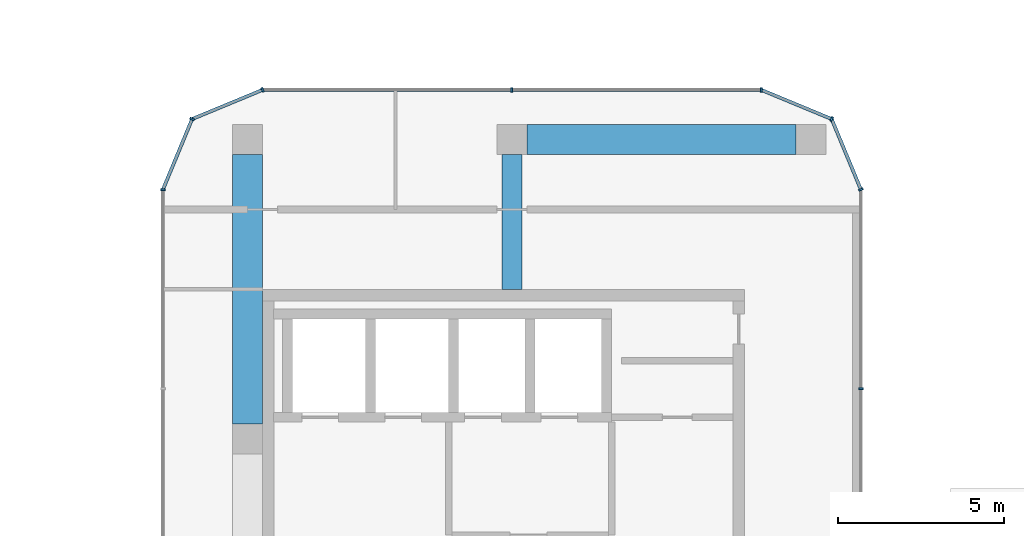
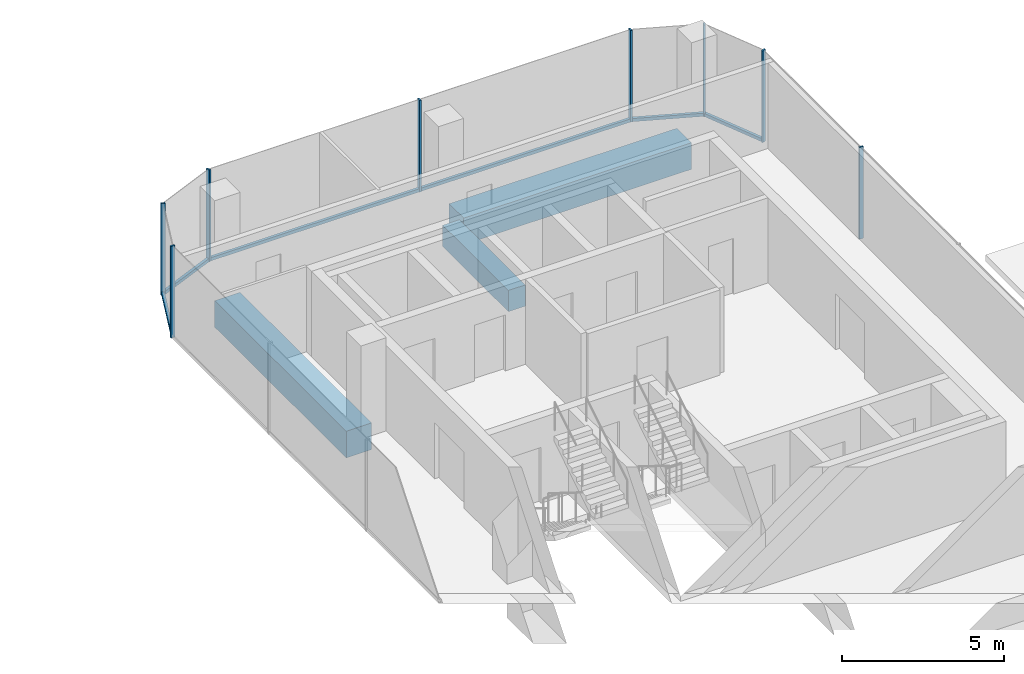
# One storey, part 8 of 19: 13 members, 3 beams, 7 elements without a shape of their own.
"""IFC4 building model written with IfcOpenShell, lengths in metres."""

from ifc_helpers import new_model, si_unit, direction, frame, origin, origin_2d, place, context, subcontext, project, spatial, rectangle, extrude, material, layer, layer_set, material_profile, profile_set, type_object, element, aggregate, save


model = new_model("IFC4")

# Units and contexts
model_context = context("Model", 3, precision=1e-05, world=origin(), true_north=direction((0.0, 1.0)))
body_context = subcontext(model_context, "Body", "Model", "MODEL_VIEW")
ifc_project = project(units=[si_unit("LENGTHUNIT", "METRE"), si_unit("AREAUNIT", "SQUARE_METRE"), si_unit("VOLUMEUNIT", "CUBIC_METRE"), si_unit("PLANEANGLEUNIT", "RADIAN"), si_unit("MASSUNIT", "GRAM", prefix="KILO")], contexts=[model_context])

# Site, building, storey
site_placement = place(None, origin())
site = spatial("IfcSite", under=ifc_project, at=site_placement, CompositionType="ELEMENT")
building_placement = place(site_placement, origin())
building = spatial("IfcBuilding", under=site, at=building_placement, Name="Plateau Cross Towers", CompositionType="ELEMENT")
storey_placement = place(building_placement, frame((0.0, 0.0, 120.300048828125)))
storey = spatial("IfcBuildingStorey", under=building, at=storey_placement, Name="L31", CompositionType="ELEMENT", Elevation=120.300048828125)

# Beams
ifc_material_1 = material(Name="Concrete C60/75", Category="concrete")
ifc_material_profile_1 = material_profile(ifc_material_1, rectangle(XDim=0.89990234375, YDim=1.0, at=origin_2d()), Name="RC 900x1000")
ifc_profile_set_1 = profile_set([ifc_material_profile_1], Name="Concrete C60/75")
beam_type_1 = type_object("IfcBeamType", Name="Belt beam RC 900x1000", PredefinedType="BEAM", material=ifc_profile_set_1)
for number, where, z_axis, x_axis, name in (
    (1, (91.050048828125, 22.5, -0.75), (-1.0, 0.0, 0.0), (0.0, -1.0, 0.0), "B-RB02@L31"),
    (2, (74.550048828125, 22.050048828125, -0.75), (0.0, -1.0, 0.0), (1.0, 0.0, 0.0), "B-RB03@L31"),
):
    element("IfcBeam", number, at=place(storey_placement, frame(where, z_axis=z_axis, x_axis=x_axis)), inside=storey, type_object=beam_type_1, Name=name, PredefinedType="BEAM", context=body_context, shape_type="SweptSolid", body=[
        extrude(rectangle(XDim=0.89990234375, YDim=1.0, at=origin_2d()), origin(), (0.0, 0.0, 1.0), 8.10009765625),
    ])
ifc_material_profile_2 = material_profile(ifc_material_1, rectangle(XDim=0.60009765625, YDim=0.800048828125, at=origin_2d()), Name="RC 600x800")
ifc_profile_set_2 = profile_set([ifc_material_profile_2], Name="Concrete C60/75")
beam_type_2 = type_object("IfcBeamType", Name="Core beam RC 600x800", PredefinedType="BEAM", material=ifc_profile_set_2)
beam_placement = place(storey_placement, frame((82.5, 18.0, -0.650146484375), z_axis=(0.0, 1.0, 0.0), x_axis=(-1.0, 0.0, 0.0)))
element("IfcBeam", 3, at=beam_placement, inside=storey, type_object=beam_type_2, Name="B-CB02@L31", PredefinedType="BEAM", context=body_context, shape_type="SweptSolid", body=[
    extrude(rectangle(XDim=0.60009765625, YDim=0.800048828125, at=origin_2d()), origin(), (0.0, 0.0, 1.0), 4.050048828125),
])

# Curtain wall, member
ifc_material_2 = material(Name="Dark low-iron glass", Category="glass")
ifc_layer = layer(ifc_material_2, 0.239990234375)
ifc_layer_set = layer_set([ifc_layer], Name="Dark low-iron glass")
curtain_wall_type = type_object("IfcCurtainWallType", Name="Curtain wall office unitised CW-F", PredefinedType="NOTDEFINED", material=ifc_layer_set)
curtain_wall_1_placement = place(storey_placement, origin())
curtain_wall_1 = element("IfcCurtainWall", 4, at=curtain_wall_1_placement, inside=storey, type_object=curtain_wall_type, Name="ENV/B/L31/B930_-30", PredefinedType="NOTDEFINED")
ifc_material_3 = material(Name="Black anodised aluminium", Category="aluminium")
ifc_material_profile_3 = material_profile(ifc_material_3, rectangle(XDim=0.06005859375, YDim=0.139892578125, at=origin_2d()), Name="MULLION 60x140")
ifc_profile_set_3 = profile_set([ifc_material_profile_3], Name="Black anodised aluminium")
member_type_1 = type_object("IfcMemberType", Name="Mullion 60x140 office unitised", PredefinedType="MULLION", material=ifc_profile_set_3)
member_1_placement = place(storey_placement, frame((93.0, 15.0, -0.25), z_axis=(0.0, 0.0, 1.0), x_axis=(0.0, 1.0, 0.0)))
member_1 = element("IfcMember", 5, at=member_1_placement, type_object=member_type_1, Name="CW-F mullion 4", PredefinedType="MULLION", context=body_context, shape_type="SweptSolid", body=[
    extrude(rectangle(XDim=0.06005859375, YDim=0.139892578125, at=origin_2d()), origin(), (0.0, 0.0, 1.0), 3.449951171875),
])
aggregate(curtain_wall_1, [member_1])

curtain_wall_2_placement = place(storey_placement, origin())
curtain_wall_2 = element("IfcCurtainWall", 6, at=curtain_wall_2_placement, inside=storey, type_object=curtain_wall_type, Name="ENV/B/L31/B930_210", PredefinedType="NOTDEFINED")
member_2_placement = place(storey_placement, frame((93.0, 21.0, -0.25), z_axis=(0.0, 0.0, 1.0), x_axis=(-0.382683612978, 0.923879457699, 0.0)))
member_2 = element("IfcMember", 7, at=member_2_placement, type_object=member_type_1, Name="CW-F mullion 1", PredefinedType="MULLION", context=body_context, shape_type="SweptSolid", body=[
    extrude(rectangle(XDim=0.06005859375, YDim=0.139892578125, at=origin_2d()), origin(), (0.0, 0.0, 1.0), 3.449951171875),
])

curtain_wall_3_placement = place(storey_placement, origin())
curtain_wall_3 = element("IfcCurtainWall", 8, at=curtain_wall_3_placement, inside=storey, type_object=curtain_wall_type, Name="ENV/B/L31/B921_231", PredefinedType="NOTDEFINED")
member_3_placement = place(storey_placement, frame((92.121337890625, 23.121337890625, -0.25), z_axis=(0.0, 0.0, 1.0), x_axis=(-0.923879457699, 0.382683612978, 0.0)))
member_3 = element("IfcMember", 9, at=member_3_placement, type_object=member_type_1, Name="CW-F mullion 1", PredefinedType="MULLION", context=body_context, shape_type="SweptSolid", body=[
    extrude(rectangle(XDim=0.06005859375, YDim=0.139892578125, at=origin_2d()), origin(), (0.0, 0.0, 1.0), 3.449951171875),
])

# Curtain wall, members
curtain_wall_4_placement = place(storey_placement, origin())
curtain_wall_4 = element("IfcCurtainWall", 10, at=curtain_wall_4_placement, inside=storey, type_object=curtain_wall_type, Name="ENV/B/L31/B900_240", PredefinedType="NOTDEFINED")
member_4_placement = place(storey_placement, frame((90.0, 24.0, -0.25), z_axis=(0.0, 0.0, 1.0), x_axis=(-1.0, 0.0, 0.0)))
member_4 = element("IfcMember", 11, at=member_4_placement, type_object=member_type_1, Name="CW-F mullion 1", PredefinedType="MULLION", context=body_context, shape_type="SweptSolid", body=[
    extrude(rectangle(XDim=0.06005859375, YDim=0.139892578125, at=origin_2d()), origin(), (0.0, 0.0, 1.0), 3.449951171875),
])
member_5_placement = place(storey_placement, frame((82.5, 24.0, -0.25), z_axis=(0.0, 0.0, 1.0), x_axis=(-1.0, 0.0, 0.0)))
member_5 = element("IfcMember", 12, at=member_5_placement, type_object=member_type_1, Name="CW-F mullion 2", PredefinedType="MULLION", context=body_context, shape_type="SweptSolid", body=[
    extrude(rectangle(XDim=0.06005859375, YDim=0.139892578125, at=origin_2d()), origin(), (0.0, 0.0, 1.0), 3.449951171875),
])

# Curtain wall, member
curtain_wall_5_placement = place(storey_placement, origin())
curtain_wall_5 = element("IfcCurtainWall", 13, at=curtain_wall_5_placement, inside=storey, type_object=curtain_wall_type, Name="ENV/B/L31/B750_240", PredefinedType="NOTDEFINED")
member_6_placement = place(storey_placement, frame((75.0, 24.0, -0.25), z_axis=(0.0, 0.0, 1.0), x_axis=(-0.923879457699, -0.382683612978, 0.0)))
member_6 = element("IfcMember", 14, at=member_6_placement, type_object=member_type_1, Name="CW-F mullion 1", PredefinedType="MULLION", context=body_context, shape_type="SweptSolid", body=[
    extrude(rectangle(XDim=0.06005859375, YDim=0.139892578125, at=origin_2d()), origin(), (0.0, 0.0, 1.0), 3.449951171875),
])

curtain_wall_6_placement = place(storey_placement, origin())
curtain_wall_6 = element("IfcCurtainWall", 15, at=curtain_wall_6_placement, inside=storey, type_object=curtain_wall_type, Name="ENV/B/L31/B729_231", PredefinedType="NOTDEFINED")
member_7_placement = place(storey_placement, frame((72.878662109375, 23.121337890625, -0.25), z_axis=(0.0, 0.0, 1.0), x_axis=(-0.382683612978, -0.923879457699, 0.0)))
member_7 = element("IfcMember", 16, at=member_7_placement, type_object=member_type_1, Name="CW-F mullion 1", PredefinedType="MULLION", context=body_context, shape_type="SweptSolid", body=[
    extrude(rectangle(XDim=0.06005859375, YDim=0.139892578125, at=origin_2d()), origin(), (0.0, 0.0, 1.0), 3.449951171875),
])

curtain_wall_7_placement = place(storey_placement, origin())
curtain_wall_7 = element("IfcCurtainWall", 17, at=curtain_wall_7_placement, inside=storey, type_object=curtain_wall_type, Name="ENV/B/L31/B720_210", PredefinedType="NOTDEFINED")
member_8_placement = place(storey_placement, frame((72.0, 21.0, -0.25), z_axis=(0.0, 0.0, 1.0), x_axis=(0.0, -1.0, 0.0)))
member_8 = element("IfcMember", 18, at=member_8_placement, type_object=member_type_1, Name="CW-F mullion 1", PredefinedType="MULLION", context=body_context, shape_type="SweptSolid", body=[
    extrude(rectangle(XDim=0.06005859375, YDim=0.139892578125, at=origin_2d()), origin(), (0.0, 0.0, 1.0), 3.449951171875),
])
aggregate(curtain_wall_7, [member_8])

# Member
ifc_material_profile_4 = material_profile(ifc_material_3, rectangle(XDim=0.10009765625, YDim=0.1201171875, at=origin_2d()), Name="TRANSOM 100x120")
ifc_profile_set_4 = profile_set([ifc_material_profile_4], Name="Black anodised aluminium")
member_type_2 = type_object("IfcMemberType", Name="Transom 100x120 office unitised", PredefinedType="USERDEFINED", material=ifc_profile_set_4)
member_9_placement = place(storey_placement, frame((93.0, 21.0, -0.18994140625), z_axis=(-0.382674207535, 0.923883353507, 0.0), x_axis=(-0.923883353507, -0.382674207535, 0.0)))
member_9 = element("IfcMember", 19, at=member_9_placement, type_object=member_type_2, Name="CW-F transom", ObjectType="TRANSOM", PredefinedType="USERDEFINED", context=body_context, shape_type="SweptSolid", body=[
    extrude(rectangle(XDim=0.10009765625, YDim=0.1201171875, at=origin_2d()), origin(), (0.0, 0.0, 1.0), 2.296142578125),
])

aggregate(curtain_wall_2, [member_2, member_9])

member_10_placement = place(storey_placement, frame((92.121337890625, 23.121337890625, -0.18994140625), z_axis=(-0.923883353507, 0.382674207535, 0.0), x_axis=(-0.382674207535, -0.923883353507, 0.0)))
member_10 = element("IfcMember", 20, at=member_10_placement, type_object=member_type_2, Name="CW-F transom", ObjectType="TRANSOM", PredefinedType="USERDEFINED", context=body_context, shape_type="SweptSolid", body=[
    extrude(rectangle(XDim=0.10009765625, YDim=0.1201171875, at=origin_2d()), origin(), (0.0, 0.0, 1.0), 2.296142578125),
])

aggregate(curtain_wall_3, [member_3, member_10])

member_11_placement = place(storey_placement, frame((90.0, 24.0, -0.18994140625), z_axis=(-1.0, 0.0, 0.0), x_axis=(0.0, -1.0, 0.0)))
member_11 = element("IfcMember", 21, at=member_11_placement, type_object=member_type_2, Name="CW-F transom", ObjectType="TRANSOM", PredefinedType="USERDEFINED", context=body_context, shape_type="SweptSolid", body=[
    extrude(rectangle(XDim=0.10009765625, YDim=0.1201171875, at=origin_2d()), origin(), (0.0, 0.0, 1.0), 15.0),
])

aggregate(curtain_wall_4, [member_4, member_5, member_11])

member_12_placement = place(storey_placement, frame((75.0, 24.0, -0.18994140625), z_axis=(-0.923883353507, -0.382674207535, 0.0), x_axis=(0.382674207535, -0.923883353507, 0.0)))
member_12 = element("IfcMember", 22, at=member_12_placement, type_object=member_type_2, Name="CW-F transom", ObjectType="TRANSOM", PredefinedType="USERDEFINED", context=body_context, shape_type="SweptSolid", body=[
    extrude(rectangle(XDim=0.10009765625, YDim=0.1201171875, at=origin_2d()), origin(), (0.0, 0.0, 1.0), 2.296142578125),
])

aggregate(curtain_wall_5, [member_6, member_12])

member_13_placement = place(storey_placement, frame((72.878662109375, 23.121337890625, -0.18994140625), z_axis=(-0.382674207535, -0.923883353507, 0.0), x_axis=(0.923883353507, -0.382674207535, 0.0)))
member_13 = element("IfcMember", 23, at=member_13_placement, type_object=member_type_2, Name="CW-F transom", ObjectType="TRANSOM", PredefinedType="USERDEFINED", context=body_context, shape_type="SweptSolid", body=[
    extrude(rectangle(XDim=0.10009765625, YDim=0.1201171875, at=origin_2d()), origin(), (0.0, 0.0, 1.0), 2.296142578125),
])

aggregate(curtain_wall_6, [member_7, member_13])

save(model, "model.ifc")
